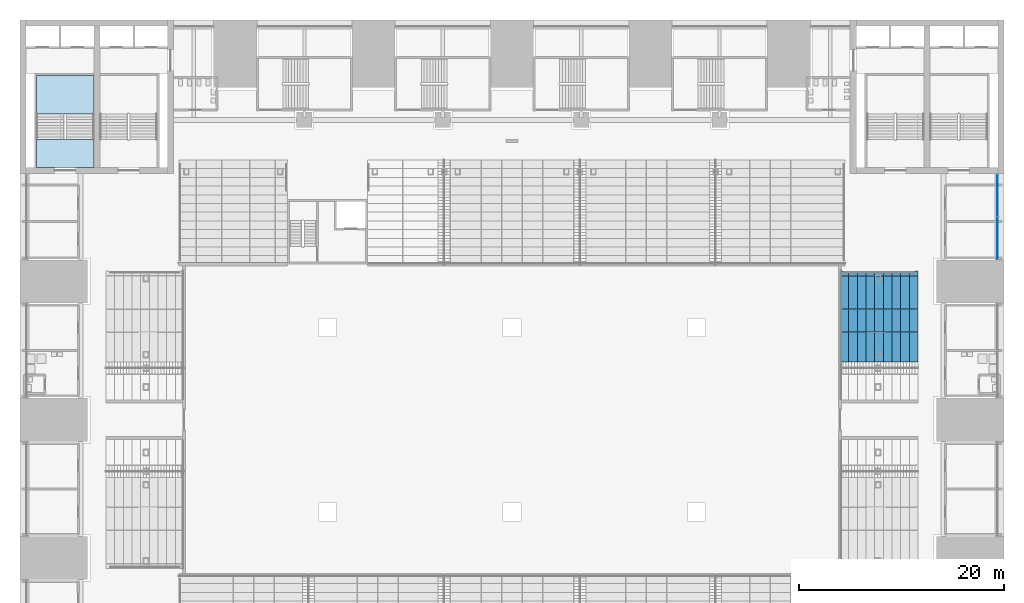
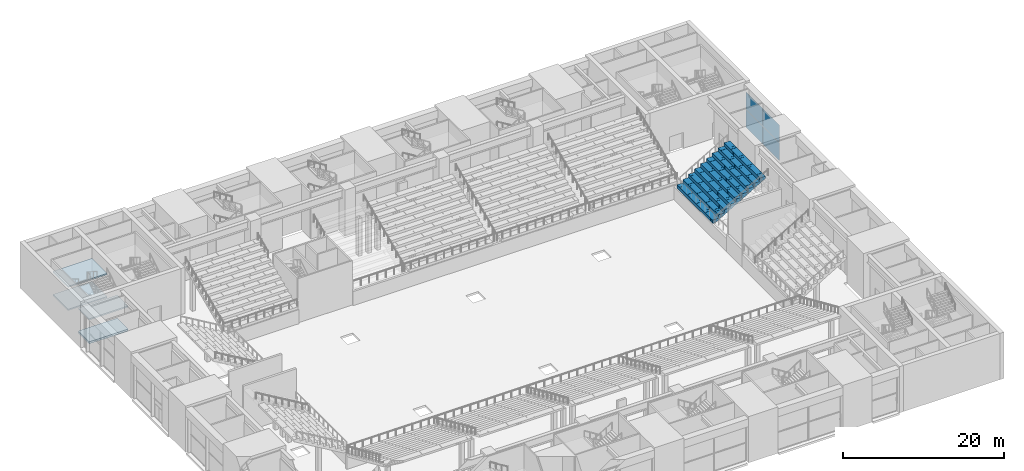
# One storey, part 33 of 62: 5 slabs, 4 plates, 2 elements without a shape of their own.
"""IFC4 building model written with IfcOpenShell, lengths in metres."""

from ifc_helpers import new_model, si_unit, direction, frame, origin, origin_2d, place, context, subcontext, project, spatial, polyline, rectangle, outline, extrude, material, layer, layer_set, type_object, element, aggregate, save


model = new_model("IFC4")

# Units and contexts
model_context = context("Model", 3, precision=1e-05, world=origin(), true_north=direction((0.0, 1.0)))
body_context = subcontext(model_context, "Body", "Model", "MODEL_VIEW")
ifc_project = project(units=[si_unit("LENGTHUNIT", "METRE"), si_unit("AREAUNIT", "SQUARE_METRE"), si_unit("VOLUMEUNIT", "CUBIC_METRE"), si_unit("PLANEANGLEUNIT", "RADIAN"), si_unit("MASSUNIT", "GRAM", prefix="KILO")], contexts=[model_context])

# Site, building, storey
site_placement = place(None, origin())
site = spatial("IfcSite", under=ifc_project, at=site_placement, CompositionType="ELEMENT")
building_placement = place(site_placement, origin())
building = spatial("IfcBuilding", under=site, at=building_placement, Name="Corbelhall Arena Tower", CompositionType="ELEMENT")
storey_placement = place(building_placement, frame((0.0, 0.0, 12.0)))
storey = spatial("IfcBuildingStorey", under=building, at=storey_placement, Name="L01", CompositionType="ELEMENT", Elevation=12.0)

# Stair, slabs
ifc_material_1 = material(Name="Reinforced concrete C40/50", Category="concrete")
stair_type = type_object("IfcStairType", Name="AR-EXIT-STAIR", PredefinedType="HALF_TURN_STAIR", material=ifc_material_1)
stair_placement = place(storey_placement, origin())
stair = element("IfcStair", 1, at=stair_placement, inside=storey, type_object=stair_type, Name="L01 exit stair AS4", PredefinedType="HALF_TURN_STAIR")
ifc_layer_1 = layer(ifc_material_1, 0.199951171875)
ifc_layer_set_1 = layer_set([ifc_layer_1], Name="AR-EXIT-LANDING")
slab_type_1 = type_object("IfcSlabType", Name="AR-EXIT-LANDING", PredefinedType="LANDING", material=ifc_layer_set_1)
slab_1_placement = place(storey_placement, frame((0.0, 0.0, 1.550048828125)))
slab_1 = element("IfcSlab", 2, at=slab_1_placement, type_object=slab_type_1, Name="AS4 landing 1", PredefinedType="LANDING", context=body_context, shape_type="SweptSolid", body=[
    extrude(outline(polyline([(-40.800048828125, 29.840087890625), (-40.800048828125, 33.60009765625), (-46.389892578125, 33.60009765625), (-46.389892578125, 29.840087890625), (-40.800048828125, 29.840087890625)])), origin(), (0.0, 0.0, 1.0), 0.199951171875),
])
slab_2_placement = place(storey_placement, frame((0.0, 0.0, 3.300048828125)))
slab_2 = element("IfcSlab", 3, at=slab_2_placement, type_object=slab_type_1, Name="AS4 landing 2", PredefinedType="LANDING", context=body_context, shape_type="SweptSolid", body=[
    extrude(outline(polyline([(-40.800048828125, 24.60009765625), (-40.800048828125, 27.320068359375), (-46.389892578125, 27.320068359375), (-46.389892578125, 24.60009765625), (-40.800048828125, 24.60009765625)])), origin(), (0.0, 0.0, 1.0), 0.199951171875),
])
slab_3_placement = place(storey_placement, frame((0.0, 0.0, 5.050048828125)))
slab_3 = element("IfcSlab", 4, at=slab_3_placement, type_object=slab_type_1, Name="AS4 landing 3", PredefinedType="LANDING", context=body_context, shape_type="SweptSolid", body=[
    extrude(outline(polyline([(-40.800048828125, 29.840087890625), (-40.800048828125, 33.60009765625), (-46.389892578125, 33.60009765625), (-46.389892578125, 29.840087890625), (-40.800048828125, 29.840087890625)])), origin(), (0.0, 0.0, 1.0), 0.199951171875),
])
aggregate(stair, [slab_1, slab_2, slab_3])

# Slabs
ifc_layer_2 = layer(ifc_material_1, 0.300048828125)
ifc_layer_set_2 = layer_set([ifc_layer_2], Name="AR-STAIR-FLOOR")
slab_type_2 = type_object("IfcSlabType", Name="AR-STAIR-FLOOR", PredefinedType="FLOOR", material=ifc_layer_set_2)
slab_4_placement = place(storey_placement, frame((0.0, 0.0, -0.300048828125)))
element("IfcSlab", 5, at=slab_4_placement, inside=storey, type_object=slab_type_2, Name="Stair AS4 floor", PredefinedType="FLOOR", context=body_context, shape_type="SweptSolid", body=[
    extrude(outline(polyline([(-40.800048828125, 24.60009765625), (-46.389892578125, 24.60009765625), (-46.389892578125, 27.322998046875), (-40.800048828125, 27.322998046875), (-40.800048828125, 24.60009765625)])), origin(), (0.0, 0.0, 1.0), 0.300048828125),
])
ifc_material_2 = material(Name="Precast concrete C40/50", Category="concrete")
ifc_layer_3 = layer(ifc_material_2, 0.25)
ifc_layer_set_3 = layer_set([ifc_layer_3], Name="AR-TIER-RAKED")
slab_type_3 = type_object("IfcSlabType", Name="AR-TIER-RAKED", PredefinedType="FLOOR", material=ifc_layer_set_3)
slab_5_placement = place(storey_placement, frame((32.0, 10.066650390625, 2.0), z_axis=(0.0, 0.0, 1.0), x_axis=(1.0, 0.0, 0.0)))
element("IfcSlab", 6, at=slab_5_placement, inside=storey, type_object=slab_type_3, Name="Tier section LEC", PredefinedType="FLOOR", context=body_context, shape_type="SweptSolid", body=[
    extrude(outline(polyline([(0.0, 0.0), (0.0, 0.5), (0.844970703125, 0.5), (0.844970703125, 1.0), (1.68994140625, 1.0), (1.68994140625, 1.5), (2.534912109375, 1.5), (2.534912109375, 2.0), (3.3798828125, 2.0), (3.3798828125, 2.5), (4.22509765625, 2.5), (4.22509765625, 3.0), (5.070068359375, 3.0), (5.070068359375, 3.5), (5.9150390625, 3.5), (5.9150390625, 4.0), (6.760009765625, 4.0), (6.760009765625, 4.5), (7.60498046875, 4.5), (7.60498046875, 5.0), (7.60498046875, 4.20947265625), (0.490966796875, 0.0), (0.0, 0.0)])), frame((0.0, 4.433349609375, 0.0), z_axis=(0.0, -1.0, 0.0), x_axis=(1.0, 0.0, 0.0)), (0.0, 0.0, 1.0), 0.449951171875),
    extrude(outline(polyline([(0.0, 0.0), (0.0, 0.5), (0.844970703125, 0.5), (0.844970703125, 1.0), (1.68994140625, 1.0), (1.68994140625, 1.5), (2.534912109375, 1.5), (2.534912109375, 2.0), (3.3798828125, 2.0), (3.3798828125, 2.5), (4.22509765625, 2.5), (4.22509765625, 3.0), (5.070068359375, 3.0), (5.070068359375, 3.5), (5.9150390625, 3.5), (5.9150390625, 4.0), (6.760009765625, 4.0), (6.760009765625, 4.5), (7.60498046875, 4.5), (7.60498046875, 5.0), (7.60498046875, 4.20947265625), (0.490966796875, 0.0), (0.0, 0.0)])), frame((0.0, 3.979248046875, 0.0), z_axis=(0.0, -1.0, 0.0), x_axis=(1.0, 0.0, 0.0)), (0.0, 0.0, 1.0), 0.2001953125),
    extrude(outline(polyline([(0.0, 0.0), (0.0, 0.5), (0.844970703125, 0.5), (0.844970703125, 1.0), (1.68994140625, 1.0), (1.68994140625, 1.5), (2.534912109375, 1.5), (2.534912109375, 2.0), (3.3798828125, 2.0), (3.3798828125, 2.5), (4.22509765625, 2.5), (4.22509765625, 3.0), (5.070068359375, 3.0), (5.070068359375, 3.5), (5.9150390625, 3.5), (5.9150390625, 4.0), (6.760009765625, 4.0), (6.760009765625, 4.5), (7.60498046875, 4.5), (7.60498046875, 5.0), (7.60498046875, 4.20947265625), (0.490966796875, 0.0), (0.0, 0.0)])), frame((0.0, 3.775146484375, 0.0), z_axis=(0.0, -1.0, 0.0), x_axis=(1.0, 0.0, 0.0)), (0.0, 0.0, 1.0), 0.2001953125),
    extrude(outline(polyline([(0.0, 0.0), (0.0, 0.5), (0.844970703125, 0.5), (0.844970703125, 1.0), (1.68994140625, 1.0), (1.68994140625, 1.5), (2.534912109375, 1.5), (2.534912109375, 2.0), (3.3798828125, 2.0), (3.3798828125, 2.5), (4.22509765625, 2.5), (4.22509765625, 3.0), (5.070068359375, 3.0), (5.070068359375, 3.5), (5.9150390625, 3.5), (5.9150390625, 4.0), (6.760009765625, 4.0), (6.760009765625, 4.5), (7.60498046875, 4.5), (7.60498046875, 5.0), (7.60498046875, 4.20947265625), (0.490966796875, 0.0), (0.0, 0.0)])), frame((0.0, 3.571044921875, 0.0), z_axis=(0.0, -1.0, 0.0), x_axis=(1.0, 0.0, 0.0)), (0.0, 0.0, 1.0), 0.2001953125),
    extrude(outline(polyline([(0.0, 0.0), (0.0, 0.5), (0.844970703125, 0.5), (0.844970703125, 1.0), (1.68994140625, 1.0), (1.68994140625, 1.5), (2.534912109375, 1.5), (2.534912109375, 2.0), (3.3798828125, 2.0), (3.3798828125, 2.5), (4.22509765625, 2.5), (4.22509765625, 3.0), (5.070068359375, 3.0), (5.070068359375, 3.5), (5.9150390625, 3.5), (5.9150390625, 4.0), (6.760009765625, 4.0), (6.760009765625, 4.5), (7.60498046875, 4.5), (7.60498046875, 5.0), (7.60498046875, 4.20947265625), (0.490966796875, 0.0), (0.0, 0.0)])), frame((0.0, 3.366943359375, 0.0), z_axis=(0.0, -1.0, 0.0), x_axis=(1.0, 0.0, 0.0)), (0.0, 0.0, 1.0), 0.2001953125),
    extrude(outline(polyline([(0.0, 0.0), (0.0, 0.5), (0.844970703125, 0.5), (0.844970703125, 1.0), (1.68994140625, 1.0), (1.68994140625, 1.5), (2.534912109375, 1.5), (2.534912109375, 2.0), (3.3798828125, 2.0), (3.3798828125, 2.5), (4.22509765625, 2.5), (4.22509765625, 3.0), (5.070068359375, 3.0), (5.070068359375, 3.5), (5.9150390625, 3.5), (5.9150390625, 4.0), (6.760009765625, 4.0), (6.760009765625, 4.5), (7.60498046875, 4.5), (7.60498046875, 5.0), (7.60498046875, 4.20947265625), (0.490966796875, 0.0), (0.0, 0.0)])), frame((0.0, 3.16259765625, 0.0), z_axis=(0.0, -1.0, 0.0), x_axis=(1.0, 0.0, 0.0)), (0.0, 0.0, 1.0), 0.2001953125),
    extrude(outline(polyline([(0.0, 0.0), (0.0, 0.5), (0.844970703125, 0.5), (0.844970703125, 1.0), (1.68994140625, 1.0), (1.68994140625, 1.5), (2.534912109375, 1.5), (2.534912109375, 2.0), (3.3798828125, 2.0), (3.3798828125, 2.5), (4.22509765625, 2.5), (4.22509765625, 3.0), (5.070068359375, 3.0), (5.070068359375, 3.5), (5.9150390625, 3.5), (5.9150390625, 4.0), (6.760009765625, 4.0), (6.760009765625, 4.5), (7.60498046875, 4.5), (7.60498046875, 5.0), (7.60498046875, 4.20947265625), (0.490966796875, 0.0), (0.0, 0.0)])), frame((0.0, 2.95849609375, 0.0), z_axis=(0.0, -1.0, 0.0), x_axis=(1.0, 0.0, 0.0)), (0.0, 0.0, 1.0), 0.2001953125),
    extrude(outline(polyline([(0.0, 0.0), (0.0, 0.5), (0.844970703125, 0.5), (0.844970703125, 1.0), (1.68994140625, 1.0), (1.68994140625, 1.5), (2.534912109375, 1.5), (2.534912109375, 2.0), (3.3798828125, 2.0), (3.3798828125, 2.5), (4.22509765625, 2.5), (4.22509765625, 3.0), (5.070068359375, 3.0), (5.070068359375, 3.5), (5.9150390625, 3.5), (5.9150390625, 4.0), (6.760009765625, 4.0), (6.760009765625, 4.5), (7.60498046875, 4.5), (7.60498046875, 5.0), (7.60498046875, 4.20947265625), (0.490966796875, 0.0), (0.0, 0.0)])), frame((0.0, 2.75439453125, 0.0), z_axis=(0.0, -1.0, 0.0), x_axis=(1.0, 0.0, 0.0)), (0.0, 0.0, 1.0), 0.2001953125),
    extrude(outline(polyline([(0.0, 0.0), (0.0, 0.5), (0.844970703125, 0.5), (0.844970703125, 1.0), (1.68994140625, 1.0), (1.68994140625, 1.5), (2.534912109375, 1.5), (2.534912109375, 2.0), (3.3798828125, 2.0), (3.3798828125, 2.5), (4.22509765625, 2.5), (4.22509765625, 3.0), (5.070068359375, 3.0), (5.070068359375, 3.5), (5.9150390625, 3.5), (5.9150390625, 4.0), (6.760009765625, 4.0), (6.760009765625, 4.5), (7.60498046875, 4.5), (7.60498046875, 5.0), (7.60498046875, 4.20947265625), (0.490966796875, 0.0), (0.0, 0.0)])), frame((0.0, 2.550048828125, 0.0), z_axis=(0.0, -1.0, 0.0), x_axis=(1.0, 0.0, 0.0)), (0.0, 0.0, 1.0), 0.2001953125),
    extrude(outline(polyline([(0.0, 0.0), (0.0, 0.5), (0.844970703125, 0.5), (0.844970703125, 1.0), (1.68994140625, 1.0), (1.68994140625, 1.5), (2.534912109375, 1.5), (2.534912109375, 2.0), (3.3798828125, 2.0), (3.3798828125, 2.5), (4.22509765625, 2.5), (4.22509765625, 3.0), (5.070068359375, 3.0), (5.070068359375, 3.5), (5.9150390625, 3.5), (5.9150390625, 4.0), (6.760009765625, 4.0), (6.760009765625, 4.5), (7.60498046875, 4.5), (7.60498046875, 5.0), (7.60498046875, 4.20947265625), (0.490966796875, 0.0), (0.0, 0.0)])), frame((0.0, 2.345947265625, 0.0), z_axis=(0.0, -1.0, 0.0), x_axis=(1.0, 0.0, 0.0)), (0.0, 0.0, 1.0), 0.2001953125),
    extrude(outline(polyline([(0.0, 0.0), (0.0, 0.5), (0.844970703125, 0.5), (0.844970703125, 1.0), (1.68994140625, 1.0), (1.68994140625, 1.5), (2.534912109375, 1.5), (2.534912109375, 2.0), (3.3798828125, 2.0), (3.3798828125, 2.5), (4.22509765625, 2.5), (4.22509765625, 3.0), (5.070068359375, 3.0), (5.070068359375, 3.5), (5.9150390625, 3.5), (5.9150390625, 4.0), (6.760009765625, 4.0), (6.760009765625, 4.5), (7.60498046875, 4.5), (7.60498046875, 5.0), (7.60498046875, 4.20947265625), (0.490966796875, 0.0), (0.0, 0.0)])), frame((0.0, 2.141845703125, 0.0), z_axis=(0.0, -1.0, 0.0), x_axis=(1.0, 0.0, 0.0)), (0.0, 0.0, 1.0), 0.2001953125),
    extrude(outline(polyline([(0.0, 0.0), (0.0, 0.5), (0.844970703125, 0.5), (0.844970703125, 1.0), (1.68994140625, 1.0), (1.68994140625, 1.5), (2.534912109375, 1.5), (2.534912109375, 2.0), (3.3798828125, 2.0), (3.3798828125, 2.5), (4.22509765625, 2.5), (4.22509765625, 3.0), (5.070068359375, 3.0), (5.070068359375, 3.5), (5.9150390625, 3.5), (5.9150390625, 4.0), (6.760009765625, 4.0), (6.760009765625, 4.5), (7.60498046875, 4.5), (7.60498046875, 5.0), (7.60498046875, 4.20947265625), (0.490966796875, 0.0), (0.0, 0.0)])), frame((0.0, 1.937744140625, 0.0), z_axis=(0.0, -1.0, 0.0), x_axis=(1.0, 0.0, 0.0)), (0.0, 0.0, 1.0), 0.2001953125),
    extrude(outline(polyline([(0.0, 0.0), (0.0, 0.5), (0.844970703125, 0.5), (0.844970703125, 1.0), (1.68994140625, 1.0), (1.68994140625, 1.5), (2.534912109375, 1.5), (2.534912109375, 2.0), (3.3798828125, 2.0), (3.3798828125, 2.5), (4.22509765625, 2.5), (4.22509765625, 3.0), (5.070068359375, 3.0), (5.070068359375, 3.5), (5.9150390625, 3.5), (5.9150390625, 4.0), (6.760009765625, 4.0), (6.760009765625, 4.5), (7.60498046875, 4.5), (7.60498046875, 5.0), (7.60498046875, 4.20947265625), (0.490966796875, 0.0), (0.0, 0.0)])), frame((0.0, 1.7333984375, 0.0), z_axis=(0.0, -1.0, 0.0), x_axis=(1.0, 0.0, 0.0)), (0.0, 0.0, 1.0), 0.2001953125),
    extrude(outline(polyline([(0.0, 0.0), (0.0, 0.5), (0.844970703125, 0.5), (0.844970703125, 1.0), (1.68994140625, 1.0), (1.68994140625, 1.5), (2.534912109375, 1.5), (2.534912109375, 2.0), (3.3798828125, 2.0), (3.3798828125, 2.5), (4.22509765625, 2.5), (4.22509765625, 3.0), (5.070068359375, 3.0), (5.070068359375, 3.5), (5.9150390625, 3.5), (5.9150390625, 4.0), (6.760009765625, 4.0), (6.760009765625, 4.5), (7.60498046875, 4.5), (7.60498046875, 5.0), (7.60498046875, 4.20947265625), (0.490966796875, 0.0), (0.0, 0.0)])), frame((0.0, 1.529296875, 0.0), z_axis=(0.0, -1.0, 0.0), x_axis=(1.0, 0.0, 0.0)), (0.0, 0.0, 1.0), 0.2001953125),
    extrude(outline(polyline([(0.0, 0.0), (0.0, 0.5), (0.844970703125, 0.5), (0.844970703125, 1.0), (1.68994140625, 1.0), (1.68994140625, 1.5), (2.534912109375, 1.5), (2.534912109375, 2.0), (3.3798828125, 2.0), (3.3798828125, 2.5), (4.22509765625, 2.5), (4.22509765625, 3.0), (5.070068359375, 3.0), (5.070068359375, 3.5), (5.9150390625, 3.5), (5.9150390625, 4.0), (6.760009765625, 4.0), (6.760009765625, 4.5), (7.60498046875, 4.5), (7.60498046875, 5.0), (7.60498046875, 4.20947265625), (0.490966796875, 0.0), (0.0, 0.0)])), frame((0.0, 1.3251953125, 0.0), z_axis=(0.0, -1.0, 0.0), x_axis=(1.0, 0.0, 0.0)), (0.0, 0.0, 1.0), 0.2001953125),
    extrude(outline(polyline([(0.0, 0.0), (0.0, 0.5), (0.844970703125, 0.5), (0.844970703125, 1.0), (1.68994140625, 1.0), (1.68994140625, 1.5), (2.534912109375, 1.5), (2.534912109375, 2.0), (3.3798828125, 2.0), (3.3798828125, 2.5), (4.22509765625, 2.5), (4.22509765625, 3.0), (5.070068359375, 3.0), (5.070068359375, 3.5), (5.9150390625, 3.5), (5.9150390625, 4.0), (6.760009765625, 4.0), (6.760009765625, 4.5), (7.60498046875, 4.5), (7.60498046875, 5.0), (7.60498046875, 4.20947265625), (0.490966796875, 0.0), (0.0, 0.0)])), frame((0.0, 1.120849609375, 0.0), z_axis=(0.0, -1.0, 0.0), x_axis=(1.0, 0.0, 0.0)), (0.0, 0.0, 1.0), 0.2001953125),
    extrude(outline(polyline([(0.0, 0.0), (0.0, 0.5), (0.844970703125, 0.5), (0.844970703125, 1.0), (1.68994140625, 1.0), (1.68994140625, 1.5), (2.534912109375, 1.5), (2.534912109375, 2.0), (3.3798828125, 2.0), (3.3798828125, 2.5), (4.22509765625, 2.5), (4.22509765625, 3.0), (5.070068359375, 3.0), (5.070068359375, 3.5), (5.9150390625, 3.5), (5.9150390625, 4.0), (6.760009765625, 4.0), (6.760009765625, 4.5), (7.60498046875, 4.5), (7.60498046875, 5.0), (7.60498046875, 4.20947265625), (0.490966796875, 0.0), (0.0, 0.0)])), frame((0.0, 0.916748046875, 0.0), z_axis=(0.0, -1.0, 0.0), x_axis=(1.0, 0.0, 0.0)), (0.0, 0.0, 1.0), 0.2001953125),
    extrude(outline(polyline([(0.0, 0.0), (0.0, 0.5), (0.844970703125, 0.5), (0.844970703125, 1.0), (1.68994140625, 1.0), (1.68994140625, 1.5), (2.534912109375, 1.5), (2.534912109375, 2.0), (3.3798828125, 2.0), (3.3798828125, 2.5), (4.22509765625, 2.5), (4.22509765625, 3.0), (5.070068359375, 3.0), (5.070068359375, 3.5), (5.9150390625, 3.5), (5.9150390625, 4.0), (6.760009765625, 4.0), (6.760009765625, 4.5), (7.60498046875, 4.5), (7.60498046875, 5.0), (7.60498046875, 4.20947265625), (0.490966796875, 0.0), (0.0, 0.0)])), frame((0.0, 0.712646484375, 0.0), z_axis=(0.0, -1.0, 0.0), x_axis=(1.0, 0.0, 0.0)), (0.0, 0.0, 1.0), 0.2001953125),
    extrude(outline(polyline([(0.0, 0.0), (0.0, 0.5), (0.844970703125, 0.5), (0.844970703125, 1.0), (1.68994140625, 1.0), (1.68994140625, 1.5), (2.534912109375, 1.5), (2.534912109375, 2.0), (3.3798828125, 2.0), (3.3798828125, 2.5), (4.22509765625, 2.5), (4.22509765625, 3.0), (5.070068359375, 3.0), (5.070068359375, 3.5), (5.9150390625, 3.5), (5.9150390625, 4.0), (6.760009765625, 4.0), (6.760009765625, 4.5), (7.60498046875, 4.5), (7.60498046875, 5.0), (7.60498046875, 4.20947265625), (0.490966796875, 0.0), (0.0, 0.0)])), frame((0.0, 0.508544921875, 0.0), z_axis=(0.0, -1.0, 0.0), x_axis=(1.0, 0.0, 0.0)), (0.0, 0.0, 1.0), 0.2001953125),
    extrude(outline(polyline([(0.0, 0.0), (0.0, 0.5), (0.844970703125, 0.5), (0.844970703125, 1.0), (1.68994140625, 1.0), (1.68994140625, 1.5), (2.534912109375, 1.5), (2.534912109375, 2.0), (3.3798828125, 2.0), (3.3798828125, 2.5), (4.22509765625, 2.5), (4.22509765625, 3.0), (5.070068359375, 3.0), (5.070068359375, 3.5), (5.9150390625, 3.5), (5.9150390625, 4.0), (6.760009765625, 4.0), (6.760009765625, 4.5), (7.60498046875, 4.5), (7.60498046875, 5.0), (7.60498046875, 4.20947265625), (0.490966796875, 0.0), (0.0, 0.0)])), frame((0.0, 0.30419921875, 0.0), z_axis=(0.0, -1.0, 0.0), x_axis=(1.0, 0.0, 0.0)), (0.0, 0.0, 1.0), 0.2001953125),
    extrude(outline(polyline([(0.0, 0.0), (0.0, 0.5), (0.844970703125, 0.5), (0.844970703125, 1.0), (1.68994140625, 1.0), (1.68994140625, 1.5), (2.534912109375, 1.5), (2.534912109375, 2.0), (3.3798828125, 2.0), (3.3798828125, 2.5), (4.22509765625, 2.5), (4.22509765625, 3.0), (5.070068359375, 3.0), (5.070068359375, 3.5), (5.9150390625, 3.5), (5.9150390625, 4.0), (6.760009765625, 4.0), (6.760009765625, 4.5), (7.60498046875, 4.5), (7.60498046875, 5.0), (7.60498046875, 4.20947265625), (0.490966796875, 0.0), (0.0, 0.0)])), frame((0.0, 0.10009765625, 0.0), z_axis=(0.0, -1.0, 0.0), x_axis=(1.0, 0.0, 0.0)), (0.0, 0.0, 1.0), 0.2001953125),
    extrude(outline(polyline([(0.0, 0.0), (0.0, 0.5), (0.844970703125, 0.5), (0.844970703125, 1.0), (1.68994140625, 1.0), (1.68994140625, 1.5), (2.534912109375, 1.5), (2.534912109375, 2.0), (3.3798828125, 2.0), (3.3798828125, 2.5), (4.22509765625, 2.5), (4.22509765625, 3.0), (5.070068359375, 3.0), (5.070068359375, 3.5), (5.9150390625, 3.5), (5.9150390625, 4.0), (6.760009765625, 4.0), (6.760009765625, 4.5), (7.60498046875, 4.5), (7.60498046875, 5.0), (7.60498046875, 4.20947265625), (0.490966796875, 0.0), (0.0, 0.0)])), frame((0.0, -0.10400390625, 0.0), z_axis=(0.0, -1.0, 0.0), x_axis=(1.0, 0.0, 0.0)), (0.0, 0.0, 1.0), 0.2001953125),
    extrude(outline(polyline([(0.0, 0.0), (0.0, 0.5), (0.844970703125, 0.5), (0.844970703125, 1.0), (1.68994140625, 1.0), (1.68994140625, 1.5), (2.534912109375, 1.5), (2.534912109375, 2.0), (3.3798828125, 2.0), (3.3798828125, 2.5), (4.22509765625, 2.5), (4.22509765625, 3.0), (5.070068359375, 3.0), (5.070068359375, 3.5), (5.9150390625, 3.5), (5.9150390625, 4.0), (6.760009765625, 4.0), (6.760009765625, 4.5), (7.60498046875, 4.5), (7.60498046875, 5.0), (7.60498046875, 4.20947265625), (0.490966796875, 0.0), (0.0, 0.0)])), frame((0.0, -0.308349609375, 0.0), z_axis=(0.0, -1.0, 0.0), x_axis=(1.0, 0.0, 0.0)), (0.0, 0.0, 1.0), 0.2001953125),
    extrude(outline(polyline([(0.0, 0.0), (0.0, 0.5), (0.844970703125, 0.5), (0.844970703125, 1.0), (1.68994140625, 1.0), (1.68994140625, 1.5), (2.534912109375, 1.5), (2.534912109375, 2.0), (3.3798828125, 2.0), (3.3798828125, 2.5), (4.22509765625, 2.5), (4.22509765625, 3.0), (5.070068359375, 3.0), (5.070068359375, 3.5), (5.9150390625, 3.5), (5.9150390625, 4.0), (6.760009765625, 4.0), (6.760009765625, 4.5), (7.60498046875, 4.5), (7.60498046875, 5.0), (7.60498046875, 4.20947265625), (0.490966796875, 0.0), (0.0, 0.0)])), frame((0.0, -0.512451171875, 0.0), z_axis=(0.0, -1.0, 0.0), x_axis=(1.0, 0.0, 0.0)), (0.0, 0.0, 1.0), 0.2001953125),
    extrude(outline(polyline([(0.0, 0.0), (0.0, 0.5), (0.844970703125, 0.5), (0.844970703125, 1.0), (1.68994140625, 1.0), (1.68994140625, 1.5), (2.534912109375, 1.5), (2.534912109375, 2.0), (3.3798828125, 2.0), (3.3798828125, 2.5), (4.22509765625, 2.5), (4.22509765625, 3.0), (5.070068359375, 3.0), (5.070068359375, 3.5), (5.9150390625, 3.5), (5.9150390625, 4.0), (6.760009765625, 4.0), (6.760009765625, 4.5), (7.60498046875, 4.5), (7.60498046875, 5.0), (7.60498046875, 4.20947265625), (0.490966796875, 0.0), (0.0, 0.0)])), frame((0.0, -0.716552734375, 0.0), z_axis=(0.0, -1.0, 0.0), x_axis=(1.0, 0.0, 0.0)), (0.0, 0.0, 1.0), 0.2001953125),
    extrude(outline(polyline([(0.0, 0.0), (0.0, 0.5), (0.844970703125, 0.5), (0.844970703125, 1.0), (1.68994140625, 1.0), (1.68994140625, 1.5), (2.534912109375, 1.5), (2.534912109375, 2.0), (3.3798828125, 2.0), (3.3798828125, 2.5), (4.22509765625, 2.5), (4.22509765625, 3.0), (5.070068359375, 3.0), (5.070068359375, 3.5), (5.9150390625, 3.5), (5.9150390625, 4.0), (6.760009765625, 4.0), (6.760009765625, 4.5), (7.60498046875, 4.5), (7.60498046875, 5.0), (7.60498046875, 4.20947265625), (0.490966796875, 0.0), (0.0, 0.0)])), frame((0.0, -0.920654296875, 0.0), z_axis=(0.0, -1.0, 0.0), x_axis=(1.0, 0.0, 0.0)), (0.0, 0.0, 1.0), 0.2001953125),
    extrude(outline(polyline([(0.0, 0.0), (0.0, 0.5), (0.844970703125, 0.5), (0.844970703125, 1.0), (1.68994140625, 1.0), (1.68994140625, 1.5), (2.534912109375, 1.5), (2.534912109375, 2.0), (3.3798828125, 2.0), (3.3798828125, 2.5), (4.22509765625, 2.5), (4.22509765625, 3.0), (5.070068359375, 3.0), (5.070068359375, 3.5), (5.9150390625, 3.5), (5.9150390625, 4.0), (6.760009765625, 4.0), (6.760009765625, 4.5), (7.60498046875, 4.5), (7.60498046875, 5.0), (7.60498046875, 4.20947265625), (0.490966796875, 0.0), (0.0, 0.0)])), frame((0.0, -1.125, 0.0), z_axis=(0.0, -1.0, 0.0), x_axis=(1.0, 0.0, 0.0)), (0.0, 0.0, 1.0), 0.2001953125),
    extrude(outline(polyline([(0.0, 0.0), (0.0, 0.5), (0.844970703125, 0.5), (0.844970703125, 1.0), (1.68994140625, 1.0), (1.68994140625, 1.5), (2.534912109375, 1.5), (2.534912109375, 2.0), (3.3798828125, 2.0), (3.3798828125, 2.5), (4.22509765625, 2.5), (4.22509765625, 3.0), (5.070068359375, 3.0), (5.070068359375, 3.5), (5.9150390625, 3.5), (5.9150390625, 4.0), (6.760009765625, 4.0), (6.760009765625, 4.5), (7.60498046875, 4.5), (7.60498046875, 5.0), (7.60498046875, 4.20947265625), (0.490966796875, 0.0), (0.0, 0.0)])), frame((0.0, -1.3291015625, 0.0), z_axis=(0.0, -1.0, 0.0), x_axis=(1.0, 0.0, 0.0)), (0.0, 0.0, 1.0), 0.2001953125),
    extrude(outline(polyline([(0.0, 0.0), (0.0, 0.5), (0.844970703125, 0.5), (0.844970703125, 1.0), (1.68994140625, 1.0), (1.68994140625, 1.5), (2.534912109375, 1.5), (2.534912109375, 2.0), (3.3798828125, 2.0), (3.3798828125, 2.5), (4.22509765625, 2.5), (4.22509765625, 3.0), (5.070068359375, 3.0), (5.070068359375, 3.5), (5.9150390625, 3.5), (5.9150390625, 4.0), (6.760009765625, 4.0), (6.760009765625, 4.5), (7.60498046875, 4.5), (7.60498046875, 5.0), (7.60498046875, 4.20947265625), (0.490966796875, 0.0), (0.0, 0.0)])), frame((0.0, -1.533203125, 0.0), z_axis=(0.0, -1.0, 0.0), x_axis=(1.0, 0.0, 0.0)), (0.0, 0.0, 1.0), 0.2001953125),
    extrude(outline(polyline([(0.0, 0.0), (0.0, 0.5), (0.844970703125, 0.5), (0.844970703125, 1.0), (1.68994140625, 1.0), (1.68994140625, 1.5), (2.534912109375, 1.5), (2.534912109375, 2.0), (3.3798828125, 2.0), (3.3798828125, 2.5), (4.22509765625, 2.5), (4.22509765625, 3.0), (5.070068359375, 3.0), (5.070068359375, 3.5), (5.9150390625, 3.5), (5.9150390625, 4.0), (6.760009765625, 4.0), (6.760009765625, 4.5), (7.60498046875, 4.5), (7.60498046875, 5.0), (7.60498046875, 4.20947265625), (0.490966796875, 0.0), (0.0, 0.0)])), frame((0.0, -1.737548828125, 0.0), z_axis=(0.0, -1.0, 0.0), x_axis=(1.0, 0.0, 0.0)), (0.0, 0.0, 1.0), 0.2001953125),
    extrude(outline(polyline([(0.0, 0.0), (0.0, 0.5), (0.844970703125, 0.5), (0.844970703125, 1.0), (1.68994140625, 1.0), (1.68994140625, 1.5), (2.534912109375, 1.5), (2.534912109375, 2.0), (3.3798828125, 2.0), (3.3798828125, 2.5), (4.22509765625, 2.5), (4.22509765625, 3.0), (5.070068359375, 3.0), (5.070068359375, 3.5), (5.9150390625, 3.5), (5.9150390625, 4.0), (6.760009765625, 4.0), (6.760009765625, 4.5), (7.60498046875, 4.5), (7.60498046875, 5.0), (7.60498046875, 4.20947265625), (0.490966796875, 0.0), (0.0, 0.0)])), frame((0.0, -1.941650390625, 0.0), z_axis=(0.0, -1.0, 0.0), x_axis=(1.0, 0.0, 0.0)), (0.0, 0.0, 1.0), 0.2001953125),
    extrude(outline(polyline([(0.0, 0.0), (0.0, 0.5), (0.844970703125, 0.5), (0.844970703125, 1.0), (1.68994140625, 1.0), (1.68994140625, 1.5), (2.534912109375, 1.5), (2.534912109375, 2.0), (3.3798828125, 2.0), (3.3798828125, 2.5), (4.22509765625, 2.5), (4.22509765625, 3.0), (5.070068359375, 3.0), (5.070068359375, 3.5), (5.9150390625, 3.5), (5.9150390625, 4.0), (6.760009765625, 4.0), (6.760009765625, 4.5), (7.60498046875, 4.5), (7.60498046875, 5.0), (7.60498046875, 4.20947265625), (0.490966796875, 0.0), (0.0, 0.0)])), frame((0.0, -2.145751953125, 0.0), z_axis=(0.0, -1.0, 0.0), x_axis=(1.0, 0.0, 0.0)), (0.0, 0.0, 1.0), 0.2001953125),
    extrude(outline(polyline([(0.0, 0.0), (0.0, 0.5), (0.844970703125, 0.5), (0.844970703125, 1.0), (1.68994140625, 1.0), (1.68994140625, 1.5), (2.534912109375, 1.5), (2.534912109375, 2.0), (3.3798828125, 2.0), (3.3798828125, 2.5), (4.22509765625, 2.5), (4.22509765625, 3.0), (5.070068359375, 3.0), (5.070068359375, 3.5), (5.9150390625, 3.5), (5.9150390625, 4.0), (6.760009765625, 4.0), (6.760009765625, 4.5), (7.60498046875, 4.5), (7.60498046875, 5.0), (7.60498046875, 4.20947265625), (0.490966796875, 0.0), (0.0, 0.0)])), frame((0.0, -2.349853515625, 0.0), z_axis=(0.0, -1.0, 0.0), x_axis=(1.0, 0.0, 0.0)), (0.0, 0.0, 1.0), 0.2001953125),
    extrude(outline(polyline([(0.0, 0.0), (0.0, 0.5), (0.844970703125, 0.5), (0.844970703125, 1.0), (1.68994140625, 1.0), (1.68994140625, 1.5), (2.534912109375, 1.5), (2.534912109375, 2.0), (3.3798828125, 2.0), (3.3798828125, 2.5), (4.22509765625, 2.5), (4.22509765625, 3.0), (5.070068359375, 3.0), (5.070068359375, 3.5), (5.9150390625, 3.5), (5.9150390625, 4.0), (6.760009765625, 4.0), (6.760009765625, 4.5), (7.60498046875, 4.5), (7.60498046875, 5.0), (7.60498046875, 4.20947265625), (0.490966796875, 0.0), (0.0, 0.0)])), frame((0.0, -2.55419921875, 0.0), z_axis=(0.0, -1.0, 0.0), x_axis=(1.0, 0.0, 0.0)), (0.0, 0.0, 1.0), 0.2001953125),
    extrude(outline(polyline([(0.0, 0.0), (0.0, 0.5), (0.844970703125, 0.5), (0.844970703125, 1.0), (1.68994140625, 1.0), (1.68994140625, 1.5), (2.534912109375, 1.5), (2.534912109375, 2.0), (3.3798828125, 2.0), (3.3798828125, 2.5), (4.22509765625, 2.5), (4.22509765625, 3.0), (5.070068359375, 3.0), (5.070068359375, 3.5), (5.9150390625, 3.5), (5.9150390625, 4.0), (6.760009765625, 4.0), (6.760009765625, 4.5), (7.60498046875, 4.5), (7.60498046875, 5.0), (7.60498046875, 4.20947265625), (0.490966796875, 0.0), (0.0, 0.0)])), frame((0.0, -2.75830078125, 0.0), z_axis=(0.0, -1.0, 0.0), x_axis=(1.0, 0.0, 0.0)), (0.0, 0.0, 1.0), 0.2001953125),
    extrude(outline(polyline([(0.0, 0.0), (0.0, 0.5), (0.844970703125, 0.5), (0.844970703125, 1.0), (1.68994140625, 1.0), (1.68994140625, 1.5), (2.534912109375, 1.5), (2.534912109375, 2.0), (3.3798828125, 2.0), (3.3798828125, 2.5), (4.22509765625, 2.5), (4.22509765625, 3.0), (5.070068359375, 3.0), (5.070068359375, 3.5), (5.9150390625, 3.5), (5.9150390625, 4.0), (6.760009765625, 4.0), (6.760009765625, 4.5), (7.60498046875, 4.5), (7.60498046875, 5.0), (7.60498046875, 4.20947265625), (0.490966796875, 0.0), (0.0, 0.0)])), frame((0.0, -2.96240234375, 0.0), z_axis=(0.0, -1.0, 0.0), x_axis=(1.0, 0.0, 0.0)), (0.0, 0.0, 1.0), 0.2001953125),
    extrude(outline(polyline([(0.0, 0.0), (0.0, 0.5), (0.844970703125, 0.5), (0.844970703125, 1.0), (1.68994140625, 1.0), (1.68994140625, 1.5), (2.534912109375, 1.5), (2.534912109375, 2.0), (3.3798828125, 2.0), (3.3798828125, 2.5), (4.22509765625, 2.5), (4.22509765625, 3.0), (5.070068359375, 3.0), (5.070068359375, 3.5), (5.9150390625, 3.5), (5.9150390625, 4.0), (6.760009765625, 4.0), (6.760009765625, 4.5), (7.60498046875, 4.5), (7.60498046875, 5.0), (7.60498046875, 4.20947265625), (0.490966796875, 0.0), (0.0, 0.0)])), frame((0.0, -3.166748046875, 0.0), z_axis=(0.0, -1.0, 0.0), x_axis=(1.0, 0.0, 0.0)), (0.0, 0.0, 1.0), 0.2001953125),
    extrude(outline(polyline([(0.0, 0.0), (0.0, 0.5), (0.844970703125, 0.5), (0.844970703125, 1.0), (1.68994140625, 1.0), (1.68994140625, 1.5), (2.534912109375, 1.5), (2.534912109375, 2.0), (3.3798828125, 2.0), (3.3798828125, 2.5), (4.22509765625, 2.5), (4.22509765625, 3.0), (5.070068359375, 3.0), (5.070068359375, 3.5), (5.9150390625, 3.5), (5.9150390625, 4.0), (6.760009765625, 4.0), (6.760009765625, 4.5), (7.60498046875, 4.5), (7.60498046875, 5.0), (7.60498046875, 4.20947265625), (0.490966796875, 0.0), (0.0, 0.0)])), frame((0.0, -3.370849609375, 0.0), z_axis=(0.0, -1.0, 0.0), x_axis=(1.0, 0.0, 0.0)), (0.0, 0.0, 1.0), 0.2001953125),
    extrude(outline(polyline([(0.0, 0.0), (0.0, 0.5), (0.844970703125, 0.5), (0.844970703125, 1.0), (1.68994140625, 1.0), (1.68994140625, 1.5), (2.534912109375, 1.5), (2.534912109375, 2.0), (3.3798828125, 2.0), (3.3798828125, 2.5), (4.22509765625, 2.5), (4.22509765625, 3.0), (5.070068359375, 3.0), (5.070068359375, 3.5), (5.9150390625, 3.5), (5.9150390625, 4.0), (6.760009765625, 4.0), (6.760009765625, 4.5), (7.60498046875, 4.5), (7.60498046875, 5.0), (7.60498046875, 4.20947265625), (0.490966796875, 0.0), (0.0, 0.0)])), frame((0.0, -3.574951171875, 0.0), z_axis=(0.0, -1.0, 0.0), x_axis=(1.0, 0.0, 0.0)), (0.0, 0.0, 1.0), 0.2001953125),
    extrude(outline(polyline([(0.0, 0.0), (0.0, 0.5), (0.844970703125, 0.5), (0.844970703125, 1.0), (1.68994140625, 1.0), (1.68994140625, 1.5), (2.534912109375, 1.5), (2.534912109375, 2.0), (3.3798828125, 2.0), (3.3798828125, 2.5), (4.22509765625, 2.5), (4.22509765625, 3.0), (5.070068359375, 3.0), (5.070068359375, 3.5), (5.9150390625, 3.5), (5.9150390625, 4.0), (6.760009765625, 4.0), (6.760009765625, 4.5), (7.60498046875, 4.5), (7.60498046875, 5.0), (7.60498046875, 4.20947265625), (0.490966796875, 0.0), (0.0, 0.0)])), frame((0.0, -3.779296875, 0.0), z_axis=(0.0, -1.0, 0.0), x_axis=(1.0, 0.0, 0.0)), (0.0, 0.0, 1.0), 0.2001953125),
    extrude(outline(polyline([(0.0, 0.0), (0.0, 0.5), (0.844970703125, 0.5), (0.844970703125, 1.0), (1.68994140625, 1.0), (1.68994140625, 1.5), (2.534912109375, 1.5), (2.534912109375, 2.0), (3.3798828125, 2.0), (3.3798828125, 2.5), (4.22509765625, 2.5), (4.22509765625, 3.0), (5.070068359375, 3.0), (5.070068359375, 3.5), (5.9150390625, 3.5), (5.9150390625, 4.0), (6.760009765625, 4.0), (6.760009765625, 4.5), (7.60498046875, 4.5), (7.60498046875, 5.0), (7.60498046875, 4.20947265625), (0.490966796875, 0.0), (0.0, 0.0)])), frame((0.0, -3.9833984375, 0.0), z_axis=(0.0, -1.0, 0.0), x_axis=(1.0, 0.0, 0.0)), (0.0, 0.0, 1.0), 0.449951171875),
])

# Curtain wall, plates
ifc_material_3 = material(Name="Aluminium black anodised", Category="aluminium")
ifc_layer_4 = layer(ifc_material_3, 0.239990234375)
ifc_layer_set_4 = layer_set([ifc_layer_4], Name="EV-CW4 Arena concourse glazing")
curtain_wall_type = type_object("IfcCurtainWallType", Name="EV-CW4 Arena concourse glazing", PredefinedType="NOTDEFINED", material=ifc_layer_set_4)
curtain_wall_placement = place(storey_placement, origin())
curtain_wall = element("IfcCurtainWall", 7, at=curtain_wall_placement, inside=storey, type_object=curtain_wall_type, Name="Curtain wall CW4B", PredefinedType="NOTDEFINED")
ifc_material_4 = material(Name="Glass dark tinted laminated", Category="glass")
ifc_layer_5 = layer(ifc_material_4, 0.028076171875)
ifc_layer_set_5 = layer_set([ifc_layer_5], Name="EV-CW4-PANEL")
plate_type = type_object("IfcPlateType", Name="EV-CW4-PANEL", PredefinedType="CURTAIN_PANEL", material=ifc_layer_set_5)
plate_1_placement = place(storey_placement, frame((47.3798828125, 17.71875, 0.0751953125), z_axis=(0.0, 0.0, 1.0), x_axis=(0.0, 1.0, 0.0)))
plate_1 = element("IfcPlate", 8, at=plate_1_placement, type_object=plate_type, Name="CW4B panel 1.1", PredefinedType="CURTAIN_PANEL", context=body_context, shape_type="SweptSolid", body=[
    extrude(rectangle(XDim=4.08740234375, YDim=0.028076171875, at=origin_2d()), origin(), (0.0, 0.0, 1.0), 2.637451171875),
])
plate_2_placement = place(storey_placement, frame((47.3798828125, 17.71875, 2.78759765625), z_axis=(0.0, 0.0, 1.0), x_axis=(0.0, 1.0, 0.0)))
plate_2 = element("IfcPlate", 9, at=plate_2_placement, type_object=plate_type, Name="CW4B panel 1.2", PredefinedType="CURTAIN_PANEL", context=body_context, shape_type="SweptSolid", body=[
    extrude(rectangle(XDim=4.08740234375, YDim=0.028076171875, at=origin_2d()), origin(), (0.0, 0.0, 1.0), 2.637451171875),
])
plate_3_placement = place(storey_placement, frame((47.3798828125, 21.88134765625, 0.0751953125), z_axis=(0.0, 0.0, 1.0), x_axis=(0.0, 1.0, 0.0)))
plate_3 = element("IfcPlate", 10, at=plate_3_placement, type_object=plate_type, Name="CW4B panel 2.1", PredefinedType="CURTAIN_PANEL", context=body_context, shape_type="SweptSolid", body=[
    extrude(rectangle(XDim=4.08740234375, YDim=0.028076171875, at=origin_2d()), origin(), (0.0, 0.0, 1.0), 2.637451171875),
])
plate_4_placement = place(storey_placement, frame((47.3798828125, 21.88134765625, 2.78759765625), z_axis=(0.0, 0.0, 1.0), x_axis=(0.0, 1.0, 0.0)))
plate_4 = element("IfcPlate", 11, at=plate_4_placement, type_object=plate_type, Name="CW4B panel 2.2", PredefinedType="CURTAIN_PANEL", context=body_context, shape_type="SweptSolid", body=[
    extrude(rectangle(XDim=4.08740234375, YDim=0.028076171875, at=origin_2d()), origin(), (0.0, 0.0, 1.0), 2.637451171875),
])
aggregate(curtain_wall, [plate_1, plate_2, plate_3, plate_4])

save(model, "model.ifc")
